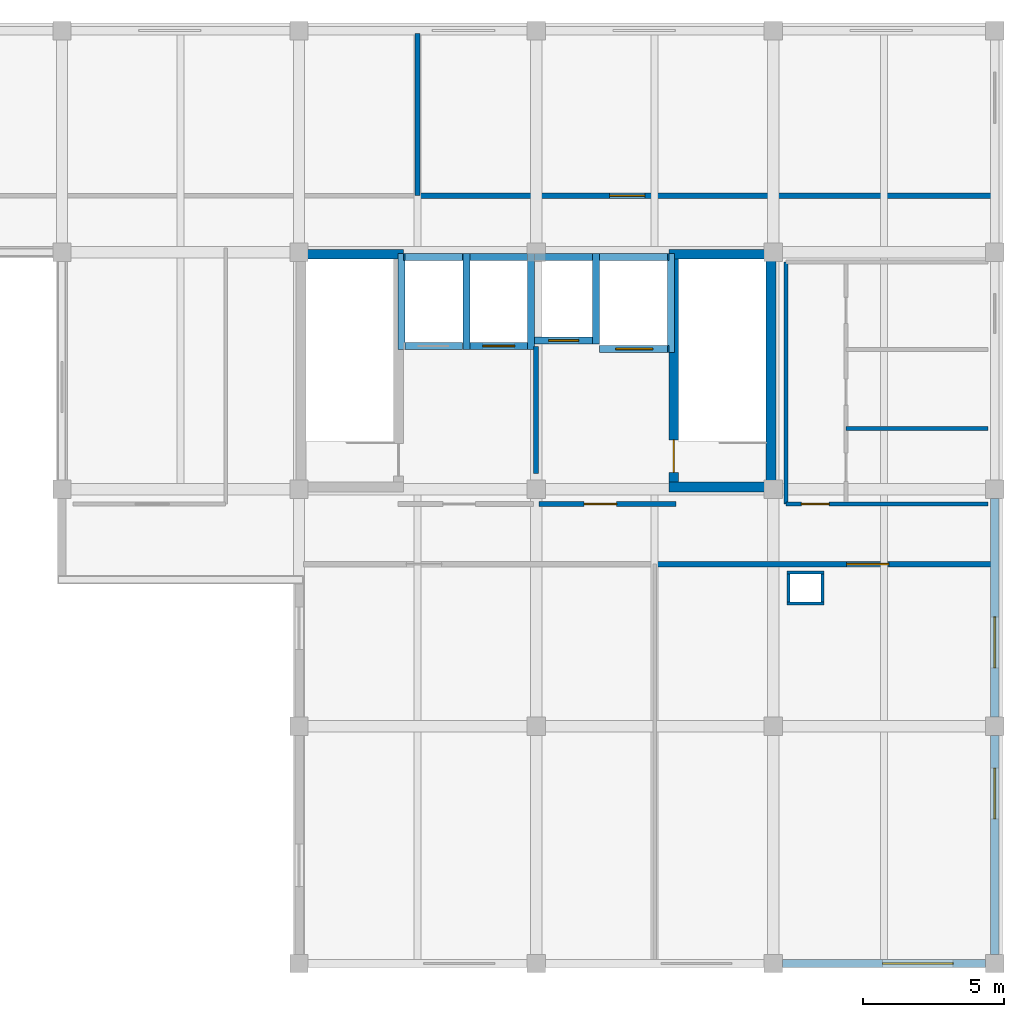
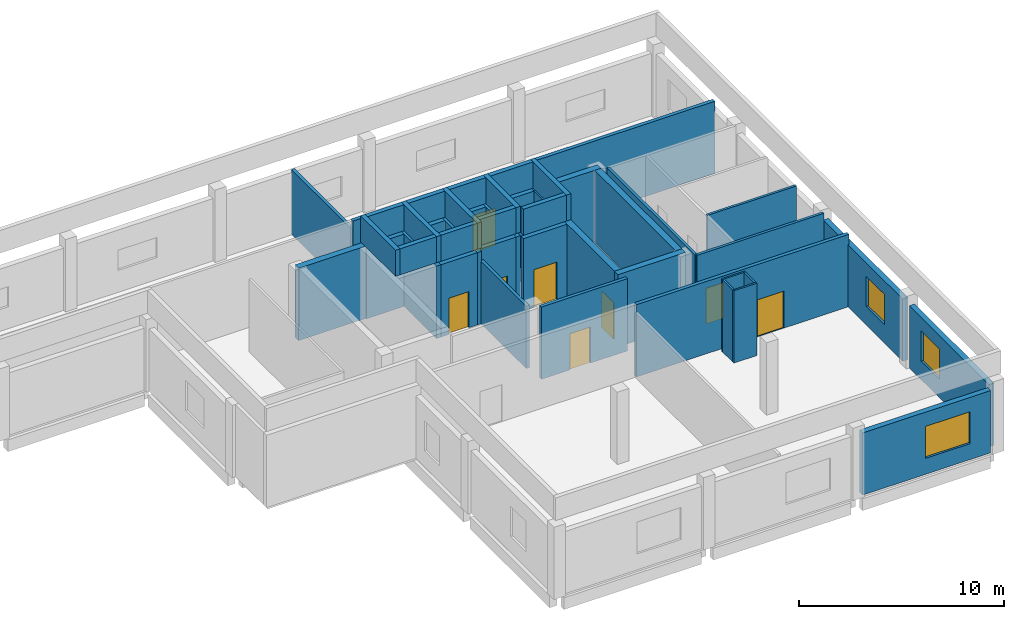
# One storey, part 6 of 8: 43 walls, 8 doors, 3 windows, 11 openings.
"""IFC4 building model written with IfcOpenShell, lengths in metres."""

from ifc_helpers import new_model, si_unit, direction, frame, frame_2d, origin, place, context, subcontext, project, spatial, rectangle, extrude, material, layer, layer_set, type_object, element, fill, save


model = new_model("IFC4")

# Units and contexts
model_context = context("Model", 3, precision=1e-05, world=origin(), true_north=direction((0.0, 1.0)))
body_context = subcontext(model_context, "Body", "Model", "MODEL_VIEW")
ifc_project = project(units=[si_unit("LENGTHUNIT", "METRE"), si_unit("AREAUNIT", "SQUARE_METRE"), si_unit("VOLUMEUNIT", "CUBIC_METRE"), si_unit("PLANEANGLEUNIT", "RADIAN"), si_unit("MASSUNIT", "GRAM", prefix="KILO")], contexts=[model_context])

# Site, building, storey
site_placement = place(None, origin())
site = spatial("IfcSite", under=ifc_project, at=site_placement, CompositionType="ELEMENT")
building_placement = place(site_placement, origin())
building = spatial("IfcBuilding", under=site, at=building_placement, Name="Brinegate Botanical Conservatory", CompositionType="ELEMENT")
storey_placement = place(building_placement, frame((0.0, 0.0, 65.699951171875)))
storey = spatial("IfcBuildingStorey", under=building, at=storey_placement, Name="L16", CompositionType="ELEMENT", Elevation=65.699951171875)

# Wall, opening, window
ifc_material_1 = material(Name="Insulated Minnan red clay brick masonry", Category="masonry")
ifc_layer_1 = layer(ifc_material_1, 0.300048828125, Name="Insulated Minnan red clay brick masonry", Category="masonry")
ifc_layer_set_1 = layer_set([ifc_layer_1], Name="Insulated Minnan red clay brick masonry")
wall_type_1 = type_object("IfcWallType", Name="Wall_EW-300B", PredefinedType="STANDARD", material=ifc_layer_set_1)
wall_1_placement = place(storey_placement, frame((163.125, 78.39990234375, 0.0), z_axis=(0.0, 0.0, 1.0), x_axis=(-1.0, 0.0, 0.0)))
wall_1 = element("IfcWall", 1, at=wall_1_placement, inside=storey, type_object=wall_type_1, Name="Tower south facade wall L16.3", PredefinedType="STANDARD", context=body_context, shape_type="SweptSolid", body=[
    extrude(rectangle(XDim=7.199951171875, YDim=0.300048828125, at=frame_2d((3.60009765625, 0.0))), origin(), (0.0, 0.0, 1.0), 3.699951171875),
])
opening_1_placement = place(wall_1_placement, frame((1.14990234375, 0.0, 0.949951171875)))
opening_1 = element("IfcOpeningElement", 2, at=opening_1_placement, cuts=wall_1, Name="Opening WN-20", PredefinedType="OPENING", context=body_context, shape_type="SweptSolid", body=[
    extrude(rectangle(XDim=2.5, YDim=1.89990234375, at=frame_2d((1.25, 0.949951171875))), frame((0.0, 0.159912109375, 0.0), z_axis=(0.0, -1.0, 0.0), x_axis=(1.0, 0.0, 0.0)), (0.0, 0.0, 1.0), 0.320068359375),
])
ifc_material_2 = material(Name="Thermally broken aluminium-framed Low-E glass", Category="aluminium")
window_type_1 = type_object("IfcWindowType", Name="Win_WN-20", PartitioningType="TRIPLE_PANEL_VERTICAL", PredefinedType="WINDOW", material=ifc_material_2)
window_1_placement = place(opening_1_placement, origin())
window_1 = element("IfcWindow", 3, at=window_1_placement, inside=storey, type_object=window_type_1, Name="Tower south window L16.3", OverallHeight=1.89990234375, OverallWidth=2.5, PartitioningType="TRIPLE_PANEL_VERTICAL", PredefinedType="WINDOW", context=body_context, shape_type="SweptSolid", body=[
    extrude(rectangle(XDim=2.5, YDim=1.89990234375, at=frame_2d((1.25, 0.949951171875))), frame((0.0, 0.030029296875, 0.0), z_axis=(0.0, -1.0, 0.0), x_axis=(1.0, 0.0, 0.0)), (0.0, 0.0, 1.0), 0.06005859375),
])
fill(opening_1, window_1)

wall_2_placement = place(storey_placement, frame((163.449951171875, 86.47509765625, 0.0), z_axis=(0.0, 0.0, 1.0), x_axis=(0.0, -1.0, 0.0)))
wall_2 = element("IfcWall", 4, at=wall_2_placement, inside=storey, type_object=wall_type_1, Name="Tower east brick wall L16.1", PredefinedType="STANDARD", context=body_context, shape_type="SweptSolid", body=[
    extrude(rectangle(XDim=7.75, YDim=0.300048828125, at=frame_2d((3.875, 0.0))), origin(), (0.0, 0.0, 1.0), 3.699951171875),
])
opening_2_placement = place(wall_2_placement, frame((1.14990234375, 0.0, 1.10009765625)))
opening_2 = element("IfcOpeningElement", 5, at=opening_2_placement, cuts=wall_2, Name="Opening WN-05", PredefinedType="OPENING", context=body_context, shape_type="SweptSolid", body=[
    extrude(rectangle(XDim=1.800048828125, YDim=1.800048828125, at=frame_2d((0.89990234375, 0.89990234375))), frame((0.0, 0.159912109375, 0.0), z_axis=(0.0, -1.0, 0.0), x_axis=(1.0, 0.0, 0.0)), (0.0, 0.0, 1.0), 0.320068359375),
])
window_type_2 = type_object("IfcWindowType", Name="Win_WN-05", PartitioningType="DOUBLE_PANEL_VERTICAL", PredefinedType="WINDOW", material=ifc_material_2)
window_2_placement = place(opening_2_placement, origin())
window_2 = element("IfcWindow", 6, at=window_2_placement, inside=storey, type_object=window_type_2, Name="Tower east window L16.1", OverallHeight=1.800048828125, OverallWidth=1.800048828125, PartitioningType="DOUBLE_PANEL_VERTICAL", PredefinedType="WINDOW", context=body_context, shape_type="SweptSolid", body=[
    extrude(rectangle(XDim=1.800048828125, YDim=1.800048828125, at=frame_2d((0.89990234375, 0.89990234375))), frame((0.0, 0.030029296875, 0.0), z_axis=(0.0, -1.0, 0.0), x_axis=(1.0, 0.0, 0.0)), (0.0, 0.0, 1.0), 0.06005859375),
])
fill(opening_2, window_2)

wall_3_placement = place(storey_placement, frame((163.449951171875, 94.875, 0.0), z_axis=(0.0, 0.0, 1.0), x_axis=(0.0, -1.0, 0.0)))
wall_3 = element("IfcWall", 7, at=wall_3_placement, inside=storey, type_object=wall_type_1, Name="Tower east brick wall L16.2", PredefinedType="STANDARD", context=body_context, shape_type="SweptSolid", body=[
    extrude(rectangle(XDim=7.75, YDim=0.300048828125, at=frame_2d((3.875, 0.0))), origin(), (0.0, 0.0, 1.0), 3.699951171875),
])
opening_3_placement = place(wall_3_placement, frame((4.199951171875, 0.0, 1.10009765625)))
opening_3 = element("IfcOpeningElement", 8, at=opening_3_placement, cuts=wall_3, Name="Opening WN-05", PredefinedType="OPENING", context=body_context, shape_type="SweptSolid", body=[
    extrude(rectangle(XDim=1.800048828125, YDim=1.800048828125, at=frame_2d((0.89990234375, 0.89990234375))), frame((0.0, 0.159912109375, 0.0), z_axis=(0.0, -1.0, 0.0), x_axis=(1.0, 0.0, 0.0)), (0.0, 0.0, 1.0), 0.320068359375),
])
window_3_placement = place(opening_3_placement, origin())
window_3 = element("IfcWindow", 9, at=window_3_placement, inside=storey, type_object=window_type_2, Name="Tower east window L16.2", OverallHeight=1.800048828125, OverallWidth=1.800048828125, PartitioningType="DOUBLE_PANEL_VERTICAL", PredefinedType="WINDOW", context=body_context, shape_type="SweptSolid", body=[
    extrude(rectangle(XDim=1.800048828125, YDim=1.800048828125, at=frame_2d((0.89990234375, 0.89990234375))), frame((0.0, 0.030029296875, 0.0), z_axis=(0.0, -1.0, 0.0), x_axis=(1.0, 0.0, 0.0)), (0.0, 0.0, 1.0), 0.06005859375),
])
fill(opening_3, window_3)

# Walls
ifc_material_3 = material(Name="Gypsum-clad steel-stud fire-rated shaft partition", Category="steel")
ifc_layer_2 = layer(ifc_material_3, 0.10498046875, Name="Gypsum-clad steel-stud fire-rated shaft partition", Category="steel")
ifc_layer_set_2 = layer_set([ifc_layer_2], Name="Gypsum-clad steel-stud fire-rated shaft partition")
wall_type_2 = type_object("IfcWallType", Name="Wall_PW-105", PredefinedType="PARTITIONING", material=ifc_layer_set_2)
for number, where, z_axis, x_axis, name in (
    (10, (156.094970703125, 91.1474609375, 0.0), (0.0, 0.0, 1.0), (1.0, 0.0, 0.0), "Service riser shaft wall L16 S"),
    (11, (156.094970703125, 92.25244140625, 0.0), (0.0, 0.0, 1.0), (1.0, 0.0, 0.0), "Service riser shaft wall L16 N"),
):
    element("IfcWall", number, at=place(storey_placement, frame(where, z_axis=z_axis, x_axis=x_axis)), inside=storey, type_object=wall_type_2, Name=name, PredefinedType="PARTITIONING", context=body_context, shape_type="SweptSolid", body=[
        extrude(rectangle(XDim=1.31005859375, YDim=0.10498046875, at=frame_2d((0.655029296875, 0.0))), origin(), (0.0, 0.0, 1.0), 4.300048828125),
    ])
for number, where, z_axis, x_axis, name in (
    (12, (156.1474609375, 91.199951171875, 0.0), (0.0, 0.0, 1.0), (0.0, 1.0, 0.0), "Service riser shaft wall L16 W"),
    (13, (157.3525390625, 91.199951171875, 0.0), (0.0, 0.0, 1.0), (0.0, 1.0, 0.0), "Service riser shaft wall L16 E"),
):
    element("IfcWall", number, at=place(storey_placement, frame(where, z_axis=z_axis, x_axis=x_axis)), inside=storey, type_object=wall_type_2, Name=name, PredefinedType="PARTITIONING", context=body_context, shape_type="SweptSolid", body=[
        extrude(rectangle(XDim=1.0, YDim=0.10498046875, at=frame_2d((0.5, 0.0))), origin(), (0.0, 0.0, 1.0), 4.300048828125),
    ])
ifc_material_4 = material(Name="Gypsum-clad steel-stud partition", Category="steel")
ifc_layer_3 = layer(ifc_material_4, 0.135009765625, Name="Gypsum-clad steel-stud partition", Category="steel")
ifc_layer_set_3 = layer_set([ifc_layer_3], Name="Gypsum-clad steel-stud partition")
wall_type_3 = type_object("IfcWallType", Name="Wall_PW-135", PredefinedType="PARTITIONING", material=ifc_layer_set_3)
wall_4_placement = place(storey_placement, frame((158.179931640625, 97.35009765625, 0.0), z_axis=(0.0, 0.0, 1.0), x_axis=(1.0, 0.0, 0.0)))
element("IfcWall", 14, at=wall_4_placement, inside=storey, type_object=wall_type_3, Name="Interior partition P-L16-WCD-9735", PredefinedType="PARTITIONING", context=body_context, shape_type="SweptSolid", body=[
    extrude(rectangle(XDim=5.02001953125, YDim=0.135009765625, at=frame_2d((2.510009765625, 0.0))), origin(), (0.0, 0.0, 1.0), 4.300048828125),
])

# Wall, opening, door
ifc_material_5 = material(Name="Moisture-resistant cement-board partition", Category="gypsum")
ifc_layer_4 = layer(ifc_material_5, 0.14990234375, Name="Moisture-resistant cement-board partition", Category="gypsum")
ifc_layer_set_4 = layer_set([ifc_layer_4], Name="Moisture-resistant cement-board partition")
wall_type_4 = type_object("IfcWallType", Name="Wall_PW-150W", PredefinedType="PARTITIONING", material=ifc_layer_set_4)
wall_5_placement = place(storey_placement, frame((156.050048828125, 94.679931640625, 0.0), z_axis=(0.0, 0.0, 1.0), x_axis=(1.0, 0.0, 0.0)))
wall_5 = element("IfcWall", 15, at=wall_5_placement, inside=storey, type_object=wall_type_4, Name="Interior partition P-L16-WCS", PredefinedType="PARTITIONING", context=body_context, shape_type="SweptSolid", body=[
    extrude(rectangle(XDim=7.14990234375, YDim=0.14990234375, at=frame_2d((3.574951171875, 0.0))), origin(), (0.0, 0.0, 1.0), 4.300048828125),
])
opening_4_placement = place(wall_5_placement, frame((0.550048828125, 0.0, 0.0)))
opening_4 = element("IfcOpeningElement", 16, at=opening_4_placement, cuts=wall_5, Name="Opening DR-03", PredefinedType="OPENING", context=body_context, shape_type="SweptSolid", body=[
    extrude(rectangle(XDim=0.97998046875, YDim=2.1201171875, at=frame_2d((0.489990234375, 1.06005859375))), frame((0.0, 0.0849609375, 0.0), z_axis=(0.0, -1.0, 0.0), x_axis=(1.0, 0.0, 0.0)), (0.0, 0.0, 1.0), 0.169921875),
])
ifc_material_6 = material(Name="Steel-core hardwood smoke-sealed fire door", Category="steel")
door_type_1 = type_object("IfcDoorType", Name="Door_DR-03", OperationType="NOTDEFINED", PredefinedType="DOOR", material=ifc_material_6)
door_1_placement = place(opening_4_placement, origin())
door_1 = element("IfcDoor", 17, at=door_1_placement, inside=storey, type_object=door_type_1, Name="DR-P-L16-WCS-1", OperationType="SINGLE_SWING_LEFT", OverallHeight=2.1201171875, OverallWidth=0.97998046875, PredefinedType="DOOR", context=body_context, shape_type="SweptSolid", body=[
    extrude(rectangle(XDim=0.97998046875, YDim=2.1201171875, at=frame_2d((0.489990234375, 1.06005859375))), frame((0.0, 0.02490234375, 0.0), z_axis=(0.0, -1.0, 0.0), x_axis=(1.0, 0.0, 0.0)), (0.0, 0.0, 1.0), 0.050048828125),
])
fill(opening_4, door_1)

# Wall
wall_6_placement = place(storey_placement, frame((156.050048828125, 94.679931640625, 0.0), z_axis=(0.0, 0.0, 1.0), x_axis=(0.0, 1.0, 0.0)))
element("IfcWall", 18, at=wall_6_placement, inside=storey, type_object=wall_type_4, Name="Interior partition P-L16-WCWW", PredefinedType="PARTITIONING", context=body_context, shape_type="SweptSolid", body=[
    extrude(rectangle(XDim=8.570068359375, YDim=0.14990234375, at=frame_2d((4.28515625, 0.0))), origin(), (0.0, 0.0, 1.0), 4.300048828125),
])

# Wall, opening, door
ifc_material_7 = material(Name="Autoclaved aerated concrete C40/50 blockwork", Category="masonry")
ifc_layer_5 = layer(ifc_material_7, 0.179931640625, Name="Autoclaved aerated concrete C40/50 blockwork", Category="masonry")
ifc_layer_set_5 = layer_set([ifc_layer_5], Name="Autoclaved aerated concrete C40/50 blockwork")
wall_type_5 = type_object("IfcWallType", Name="Wall_PW-180F", PredefinedType="STANDARD", material=ifc_layer_set_5)
wall_7_placement = place(storey_placement, frame((147.300048828125, 94.679931640625, 0.0), z_axis=(0.0, 0.0, 1.0), x_axis=(1.0, 0.0, 0.0)))
wall_7 = element("IfcWall", 19, at=wall_7_placement, inside=storey, type_object=wall_type_5, Name="Interior partition P-L16-CORE-PAX", PredefinedType="STANDARD", context=body_context, shape_type="SweptSolid", body=[
    extrude(rectangle(XDim=4.849853515625, YDim=0.179931640625, at=frame_2d((2.4248046875, 0.0))), origin(), (0.0, 0.0, 1.0), 4.300048828125),
])
opening_5_placement = place(wall_7_placement, frame((1.60009765625, 0.0, 0.0)))
opening_5 = element("IfcOpeningElement", 20, at=opening_5_placement, cuts=wall_7, Name="Opening FD-B1", PredefinedType="OPENING", context=body_context, shape_type="SweptSolid", body=[
    extrude(rectangle(XDim=1.14990234375, YDim=2.14990234375, at=frame_2d((0.574951171875, 1.074951171875))), frame((0.0, 0.099853515625, 0.0), z_axis=(0.0, -1.0, 0.0), x_axis=(1.0, 0.0, 0.0)), (0.0, 0.0, 1.0), 0.199951171875),
])
ifc_material_8 = material(Name="Steel smoke-proof fire door assembly", Category="steel")
door_type_2 = type_object("IfcDoorType", Name="Door_FD-B1", OperationType="NOTDEFINED", PredefinedType="DOOR", material=ifc_material_8)
door_2_placement = place(opening_5_placement, origin())
door_2 = element("IfcDoor", 21, at=door_2_placement, inside=storey, type_object=door_type_2, Name="DR-P-L16-CORE-PAX-1", OperationType="SINGLE_SWING_RIGHT", OverallHeight=2.14990234375, OverallWidth=1.14990234375, PredefinedType="DOOR", context=body_context, shape_type="SweptSolid", body=[
    extrude(rectangle(XDim=1.14990234375, YDim=2.14990234375, at=frame_2d((0.574951171875, 1.074951171875))), frame((0.0, 0.02490234375, 0.0), z_axis=(0.0, -1.0, 0.0), x_axis=(1.0, 0.0, 0.0)), (0.0, 0.0, 1.0), 0.050048828125),
])
fill(opening_5, door_2)

# Walls
wall_8_placement = place(storey_placement, frame((147.199951171875, 95.75, 0.0), z_axis=(0.0, 0.0, 1.0), x_axis=(0.0, 1.0, 0.0)))
element("IfcWall", 22, at=wall_8_placement, inside=storey, type_object=wall_type_5, Name="Interior partition P-L16-CORE-DIV", PredefinedType="STANDARD", context=body_context, shape_type="SweptSolid", body=[
    extrude(rectangle(XDim=4.5, YDim=0.179931640625, at=frame_2d((2.25, 0.0))), origin(), (0.0, 0.0, 1.0), 3.699951171875),
])
wall_9_placement = place(storey_placement, frame((143.0, 105.60009765625, 0.0), z_axis=(0.0, 0.0, 1.0), x_axis=(0.0, 1.0, 0.0)))
element("IfcWall", 23, at=wall_9_placement, inside=storey, type_object=wall_type_5, Name="Interior partition P-L16-NDIV-N2", PredefinedType="STANDARD", context=body_context, shape_type="SweptSolid", body=[
    extrude(rectangle(XDim=5.75, YDim=0.179931640625, at=frame_2d((2.875, 0.0))), origin(), (0.0, 0.0, 1.0), 3.85009765625),
])

# Wall, opening, door
ifc_layer_6 = layer(ifc_material_7, 0.199951171875, Name="Autoclaved aerated concrete C40/50 blockwork", Category="masonry")
ifc_layer_set_6 = layer_set([ifc_layer_6], Name="Autoclaved aerated concrete C40/50 blockwork")
wall_type_6 = type_object("IfcWallType", Name="Wall_PW-200F", PredefinedType="SOLIDWALL", material=ifc_layer_set_6)
wall_10_placement = place(storey_placement, frame((143.0, 105.60009765625, 0.0), z_axis=(0.0, 0.0, 1.0), x_axis=(1.0, 0.0, 0.0)))
wall_10 = element("IfcWall", 24, at=wall_10_placement, inside=storey, type_object=wall_type_6, Name="Interior partition P-L16-NB-N2", PredefinedType="SOLIDWALL", context=body_context, shape_type="SweptSolid", body=[
    extrude(rectangle(XDim=20.35009765625, YDim=0.199951171875, at=frame_2d((10.175048828125, 0.0))), origin(), (0.0, 0.0, 1.0), 4.300048828125),
])
opening_6_placement = place(wall_10_placement, frame((6.800048828125, 0.0, 0.0)))
opening_6 = element("IfcOpeningElement", 25, at=opening_6_placement, cuts=wall_10, Name="Opening FD-A1", PredefinedType="OPENING", context=body_context, shape_type="SweptSolid", body=[
    extrude(rectangle(XDim=1.25, YDim=2.199951171875, at=frame_2d((0.625, 1.10009765625))), frame((0.0, 0.10986328125, 0.0), z_axis=(0.0, -1.0, 0.0), x_axis=(1.0, 0.0, 0.0)), (0.0, 0.0, 1.0), 0.219970703125),
])
ifc_material_9 = material(Name="Steel fire-rated assembly", Category="steel")
door_type_3 = type_object("IfcDoorType", Name="Door_FD-A1", OperationType="NOTDEFINED", PredefinedType="DOOR", material=ifc_material_9)
door_3_placement = place(opening_6_placement, origin())
door_3 = element("IfcDoor", 26, at=door_3_placement, inside=storey, type_object=door_type_3, Name="DR-P-L16-NB-N2-1", OperationType="SINGLE_SWING_RIGHT", OverallHeight=2.199951171875, OverallWidth=1.25, PredefinedType="DOOR", context=body_context, shape_type="SweptSolid", body=[
    extrude(rectangle(XDim=1.25, YDim=2.199951171875, at=frame_2d((0.625, 1.10009765625))), frame((0.0, 0.02490234375, 0.0), z_axis=(0.0, -1.0, 0.0), x_axis=(1.0, 0.0, 0.0)), (0.0, 0.0, 1.0), 0.050048828125),
])
fill(opening_6, door_3)

wall_11_placement = place(storey_placement, frame((151.39990234375, 92.550048828125, 0.0), z_axis=(0.0, 0.0, 1.0), x_axis=(1.0, 0.0, 0.0)))
wall_11 = element("IfcWall", 27, at=wall_11_placement, inside=storey, type_object=wall_type_6, Name="Interior partition P-L16-SB-S2", PredefinedType="SOLIDWALL", context=body_context, shape_type="SweptSolid", body=[
    extrude(rectangle(XDim=11.9501953125, YDim=0.199951171875, at=frame_2d((5.97509765625, 0.0))), origin(), (0.0, 0.0, 1.0), 4.300048828125),
])
opening_7_placement = place(wall_11_placement, frame((6.800048828125, 0.0, 0.0)))
opening_7 = element("IfcOpeningElement", 28, at=opening_7_placement, cuts=wall_11, Name="Opening FD-A2", PredefinedType="OPENING", context=body_context, shape_type="SweptSolid", body=[
    extrude(rectangle(XDim=1.5, YDim=2.199951171875, at=frame_2d((0.75, 1.10009765625))), frame((0.0, 0.10986328125, 0.0), z_axis=(0.0, -1.0, 0.0), x_axis=(1.0, 0.0, 0.0)), (0.0, 0.0, 1.0), 0.219970703125),
])
ifc_material_10 = material(Name="Steel fire-rated double-leaf assembly", Category="steel")
door_type_4 = type_object("IfcDoorType", Name="Door_FD-A2", OperationType="NOTDEFINED", PredefinedType="DOOR", material=ifc_material_10)
door_4_placement = place(opening_7_placement, origin())
door_4 = element("IfcDoor", 29, at=door_4_placement, inside=storey, type_object=door_type_4, Name="DR-P-L16-SB-S2-1", OperationType="SINGLE_SWING_LEFT", OverallHeight=2.199951171875, OverallWidth=1.5, PredefinedType="DOOR", context=body_context, shape_type="SweptSolid", body=[
    extrude(rectangle(XDim=1.5, YDim=2.199951171875, at=frame_2d((0.75, 1.10009765625))), frame((0.0, 0.02490234375, 0.0), z_axis=(0.0, -1.0, 0.0), x_axis=(1.0, 0.0, 0.0)), (0.0, 0.0, 1.0), 0.050048828125),
])
fill(opening_7, door_4)

# Walls
ifc_material_11 = material(Name="Concrete C40/50", Category="concrete")
ifc_layer_7 = layer(ifc_material_11, 0.25, Name="Concrete C40/50", Category="concrete")
ifc_layer_set_7 = layer_set([ifc_layer_7], Name="Concrete C40/50")
wall_type_7 = type_object("IfcWallType", Name="Wall_SW-250", PredefinedType="SHEAR", material=ifc_layer_set_7)
wall_12_placement = place(storey_placement, frame((142.5, 103.425048828125, 0.0), z_axis=(0.0, 0.0, 1.0), x_axis=(1.0, 0.0, 0.0)))
element("IfcWall", 30, at=wall_12_placement, inside=storey, type_object=wall_type_7, Name="Lift shaft LF1 shear wall L16 N", PredefinedType="SHEAR", context=body_context, shape_type="SweptSolid", body=[
    extrude(rectangle(XDim=2.10009765625, YDim=0.25, at=frame_2d((1.050048828125, 0.0))), origin(), (0.0, 0.0, 1.0), 4.300048828125),
])
wall_13_placement = place(storey_placement, frame((144.72509765625, 100.14990234375, 0.0), z_axis=(0.0, 0.0, 1.0), x_axis=(0.0, 1.0, 0.0)))
element("IfcWall", 31, at=wall_13_placement, inside=storey, type_object=wall_type_7, Name="Lift shaft LF1 shear wall L16 E", PredefinedType="SHEAR", context=body_context, shape_type="SweptSolid", body=[
    extrude(rectangle(XDim=3.400146484375, YDim=0.25, at=frame_2d((1.7001953125, 0.0))), origin(), (0.0, 0.0, 1.0), 4.300048828125),
])
for number, where, z_axis, x_axis, name in (
    (32, (142.550048828125, 100.27490234375, 4.5), (0.0, 0.0, 1.0), (1.0, 0.0, 0.0), "Lift shaft LF1 shear wall RF S"),
    (33, (142.550048828125, 103.425048828125, 4.5), (0.0, 0.0, 1.0), (1.0, 0.0, 0.0), "Lift shaft LF1 shear wall RF N"),
):
    element("IfcWall", number, at=place(storey_placement, frame(where, z_axis=z_axis, x_axis=x_axis)), inside=storey, type_object=wall_type_7, Name=name, PredefinedType="SHEAR", context=body_context, shape_type="SweptSolid", body=[
        extrude(rectangle(XDim=2.050048828125, YDim=0.25, at=frame_2d((1.02490234375, 0.0))), origin(), (0.0, 0.0, 1.0), 1.550048828125),
    ])
for number, where, z_axis, x_axis, name in (
    (34, (144.72509765625, 100.14990234375, 4.5), (0.0, 0.0, 1.0), (0.0, 1.0, 0.0), "Lift shaft LF1 shear wall RF E"),
    (35, (142.425048828125, 100.14990234375, 4.5), (0.0, 0.0, 1.0), (0.0, 1.0, 0.0), "Lift shaft LF1 shear wall RF W"),
):
    element("IfcWall", number, at=place(storey_placement, frame(where, z_axis=z_axis, x_axis=x_axis)), inside=storey, type_object=wall_type_7, Name=name, PredefinedType="SHEAR", context=body_context, shape_type="SweptSolid", body=[
        extrude(rectangle(XDim=3.400146484375, YDim=0.25, at=frame_2d((1.7001953125, 0.0))), origin(), (0.0, 0.0, 1.0), 1.550048828125),
    ])

# Wall, opening, door
wall_14_placement = place(storey_placement, frame((144.85009765625, 100.27490234375, 0.0), z_axis=(0.0, 0.0, 1.0), x_axis=(1.0, 0.0, 0.0)))
wall_14 = element("IfcWall", 36, at=wall_14_placement, inside=storey, type_object=wall_type_7, Name="Lift shaft LF2 shear wall L16 S", PredefinedType="SHEAR", context=body_context, shape_type="SweptSolid", body=[
    extrude(rectangle(XDim=2.0498046875, YDim=0.25, at=frame_2d((1.02490234375, 0.0))), origin(), (0.0, 0.0, 1.0), 4.300048828125),
])
opening_8_placement = place(wall_14_placement, frame((0.465087890625, 0.0, 0.0)))
opening_8 = element("IfcOpeningElement", 37, at=opening_8_placement, cuts=wall_14, Name="Opening LD-02", PredefinedType="OPENING", context=body_context, shape_type="SweptSolid", body=[
    extrude(rectangle(XDim=1.1201171875, YDim=2.14990234375, at=frame_2d((0.56005859375, 1.074951171875))), frame((0.0, 0.135009765625, 0.0), z_axis=(0.0, -1.0, 0.0), x_axis=(1.0, 0.0, 0.0)), (0.0, 0.0, 1.0), 0.27001953125),
])
ifc_material_12 = material(Name="Brushed stainless steel S355 landing door", Category="steel")
door_type_5 = type_object("IfcDoorType", Name="Door_LD-02", OperationType="SLIDING_TO_LEFT", PredefinedType="DOOR", material=ifc_material_12)
door_5_placement = place(opening_8_placement, origin())
door_5 = element("IfcDoor", 38, at=door_5_placement, inside=storey, type_object=door_type_5, Name="LD-LF2-L16", OperationType="SLIDING_TO_LEFT", OverallHeight=2.14990234375, OverallWidth=1.1201171875, PredefinedType="DOOR", context=body_context, shape_type="SweptSolid", body=[
    extrude(rectangle(XDim=1.1201171875, YDim=2.14990234375, at=frame_2d((0.56005859375, 1.074951171875))), frame((0.0, 0.02490234375, 0.0), z_axis=(0.0, -1.0, 0.0), x_axis=(1.0, 0.0, 0.0)), (0.0, 0.0, 1.0), 0.050048828125),
])
fill(opening_8, door_5)

# Walls
wall_15_placement = place(storey_placement, frame((144.85009765625, 103.425048828125, 0.0), z_axis=(0.0, 0.0, 1.0), x_axis=(1.0, 0.0, 0.0)))
element("IfcWall", 39, at=wall_15_placement, inside=storey, type_object=wall_type_7, Name="Lift shaft LF2 shear wall L16 N", PredefinedType="SHEAR", context=body_context, shape_type="SweptSolid", body=[
    extrude(rectangle(XDim=2.0498046875, YDim=0.25, at=frame_2d((1.02490234375, 0.0))), origin(), (0.0, 0.0, 1.0), 4.300048828125),
])
wall_16_placement = place(storey_placement, frame((147.02490234375, 100.14990234375, 0.0), z_axis=(0.0, 0.0, 1.0), x_axis=(0.0, 1.0, 0.0)))
element("IfcWall", 40, at=wall_16_placement, inside=storey, type_object=wall_type_7, Name="Lift shaft LF2 shear wall L16 E", PredefinedType="SHEAR", context=body_context, shape_type="SweptSolid", body=[
    extrude(rectangle(XDim=3.400146484375, YDim=0.25, at=frame_2d((1.7001953125, 0.0))), origin(), (0.0, 0.0, 1.0), 4.300048828125),
])
for number, where, z_axis, x_axis, name in (
    (41, (144.85009765625, 100.27490234375, 4.5), (0.0, 0.0, 1.0), (1.0, 0.0, 0.0), "Lift shaft LF2 shear wall RF S"),
    (42, (144.85009765625, 103.425048828125, 4.5), (0.0, 0.0, 1.0), (1.0, 0.0, 0.0), "Lift shaft LF2 shear wall RF N"),
):
    element("IfcWall", number, at=place(storey_placement, frame(where, z_axis=z_axis, x_axis=x_axis)), inside=storey, type_object=wall_type_7, Name=name, PredefinedType="SHEAR", context=body_context, shape_type="SweptSolid", body=[
        extrude(rectangle(XDim=2.0498046875, YDim=0.25, at=frame_2d((1.02490234375, 0.0))), origin(), (0.0, 0.0, 1.0), 1.550048828125),
    ])
wall_17_placement = place(storey_placement, frame((147.02490234375, 100.14990234375, 4.5), z_axis=(0.0, 0.0, 1.0), x_axis=(0.0, 1.0, 0.0)))
element("IfcWall", 43, at=wall_17_placement, inside=storey, type_object=wall_type_7, Name="Lift shaft LF2 shear wall RF E", PredefinedType="SHEAR", context=body_context, shape_type="SweptSolid", body=[
    extrude(rectangle(XDim=3.400146484375, YDim=0.25, at=frame_2d((1.7001953125, 0.0))), origin(), (0.0, 0.0, 1.0), 1.550048828125),
])

# Wall, opening, door
wall_18_placement = place(storey_placement, frame((147.14990234375, 100.47509765625, 0.0), z_axis=(0.0, 0.0, 1.0), x_axis=(1.0, 0.0, 0.0)))
wall_18 = element("IfcWall", 44, at=wall_18_placement, inside=storey, type_object=wall_type_7, Name="Lift shaft LF3 shear wall L16 S", PredefinedType="SHEAR", context=body_context, shape_type="SweptSolid", body=[
    extrude(rectangle(XDim=2.050048828125, YDim=0.25, at=frame_2d((1.02490234375, 0.0))), origin(), (0.0, 0.0, 1.0), 4.300048828125),
])
opening_9_placement = place(wall_18_placement, frame((0.4951171875, 0.0, 0.0)))
opening_9 = element("IfcOpeningElement", 45, at=opening_9_placement, cuts=wall_18, Name="Opening LD-03", PredefinedType="OPENING", context=body_context, shape_type="SweptSolid", body=[
    extrude(rectangle(XDim=1.06005859375, YDim=2.14990234375, at=frame_2d((0.530029296875, 1.074951171875))), frame((0.0, 0.135009765625, 0.0), z_axis=(0.0, -1.0, 0.0), x_axis=(1.0, 0.0, 0.0)), (0.0, 0.0, 1.0), 0.27001953125),
])
door_type_6 = type_object("IfcDoorType", Name="Door_LD-03", OperationType="SLIDING_TO_LEFT", PredefinedType="DOOR", material=ifc_material_12)
door_6_placement = place(opening_9_placement, origin())
door_6 = element("IfcDoor", 46, at=door_6_placement, inside=storey, type_object=door_type_6, Name="LD-LF3-L16", OperationType="SLIDING_TO_LEFT", OverallHeight=2.14990234375, OverallWidth=1.06005859375, PredefinedType="DOOR", context=body_context, shape_type="SweptSolid", body=[
    extrude(rectangle(XDim=1.06005859375, YDim=2.14990234375, at=frame_2d((0.530029296875, 1.074951171875))), frame((0.0, 0.02490234375, 0.0), z_axis=(0.0, -1.0, 0.0), x_axis=(1.0, 0.0, 0.0)), (0.0, 0.0, 1.0), 0.050048828125),
])
fill(opening_9, door_6)

# Walls
wall_19_placement = place(storey_placement, frame((147.14990234375, 103.425048828125, 0.0), z_axis=(0.0, 0.0, 1.0), x_axis=(1.0, 0.0, 0.0)))
element("IfcWall", 47, at=wall_19_placement, inside=storey, type_object=wall_type_7, Name="Lift shaft LF3 shear wall L16 N", PredefinedType="SHEAR", context=body_context, shape_type="SweptSolid", body=[
    extrude(rectangle(XDim=2.050048828125, YDim=0.25, at=frame_2d((1.02490234375, 0.0))), origin(), (0.0, 0.0, 1.0), 4.300048828125),
])
wall_20_placement = place(storey_placement, frame((149.324951171875, 100.35009765625, 0.0), z_axis=(0.0, 0.0, 1.0), x_axis=(0.0, 1.0, 0.0)))
element("IfcWall", 48, at=wall_20_placement, inside=storey, type_object=wall_type_7, Name="Lift shaft LF3 shear wall L16 E", PredefinedType="SHEAR", context=body_context, shape_type="SweptSolid", body=[
    extrude(rectangle(XDim=3.199951171875, YDim=0.25, at=frame_2d((1.60009765625, 0.0))), origin(), (0.0, 0.0, 1.0), 4.300048828125),
])
for number, where, z_axis, x_axis, name in (
    (49, (147.14990234375, 100.47509765625, 4.5), (0.0, 0.0, 1.0), (1.0, 0.0, 0.0), "Lift shaft LF3 shear wall RF S"),
    (50, (147.14990234375, 103.425048828125, 4.5), (0.0, 0.0, 1.0), (1.0, 0.0, 0.0), "Lift shaft LF3 shear wall RF N"),
):
    element("IfcWall", number, at=place(storey_placement, frame(where, z_axis=z_axis, x_axis=x_axis)), inside=storey, type_object=wall_type_7, Name=name, PredefinedType="SHEAR", context=body_context, shape_type="SweptSolid", body=[
        extrude(rectangle(XDim=2.050048828125, YDim=0.25, at=frame_2d((1.02490234375, 0.0))), origin(), (0.0, 0.0, 1.0), 1.550048828125),
    ])
wall_21_placement = place(storey_placement, frame((149.324951171875, 100.35009765625, 4.5), z_axis=(0.0, 0.0, 1.0), x_axis=(0.0, 1.0, 0.0)))
element("IfcWall", 51, at=wall_21_placement, inside=storey, type_object=wall_type_7, Name="Lift shaft LF3 shear wall RF E", PredefinedType="SHEAR", context=body_context, shape_type="SweptSolid", body=[
    extrude(rectangle(XDim=3.199951171875, YDim=0.25, at=frame_2d((1.60009765625, 0.0))), origin(), (0.0, 0.0, 1.0), 1.550048828125),
])

# Wall, opening, door
wall_22_placement = place(storey_placement, frame((149.449951171875, 100.175048828125, 0.0), z_axis=(0.0, 0.0, 1.0), x_axis=(1.0, 0.0, 0.0)))
wall_22 = element("IfcWall", 52, at=wall_22_placement, inside=storey, type_object=wall_type_7, Name="Lift shaft LF4 shear wall L16 S", PredefinedType="SHEAR", context=body_context, shape_type="SweptSolid", body=[
    extrude(rectangle(XDim=2.449951171875, YDim=0.25, at=frame_2d((1.22509765625, 0.0))), origin(), (0.0, 0.0, 1.0), 4.300048828125),
])
opening_10_placement = place(wall_22_placement, frame((0.574951171875, 0.0, 0.0)))
opening_10 = element("IfcOpeningElement", 53, at=opening_10_placement, cuts=wall_22, Name="Opening LD-04", PredefinedType="OPENING", context=body_context, shape_type="SweptSolid", body=[
    extrude(rectangle(XDim=1.300048828125, YDim=2.25, at=frame_2d((0.64990234375, 1.125))), frame((0.0, 0.135009765625, 0.0), z_axis=(0.0, -1.0, 0.0), x_axis=(1.0, 0.0, 0.0)), (0.0, 0.0, 1.0), 0.27001953125),
])
door_type_7 = type_object("IfcDoorType", Name="Door_LD-04", OperationType="SLIDING_TO_LEFT", PredefinedType="DOOR", material=ifc_material_12)
door_7_placement = place(opening_10_placement, origin())
door_7 = element("IfcDoor", 54, at=door_7_placement, inside=storey, type_object=door_type_7, Name="LD-LF4-L16", OperationType="SLIDING_TO_LEFT", OverallHeight=2.25, OverallWidth=1.300048828125, PredefinedType="DOOR", context=body_context, shape_type="SweptSolid", body=[
    extrude(rectangle(XDim=1.300048828125, YDim=2.25, at=frame_2d((0.64990234375, 1.125))), frame((0.0, 0.02490234375, 0.0), z_axis=(0.0, -1.0, 0.0), x_axis=(1.0, 0.0, 0.0)), (0.0, 0.0, 1.0), 0.050048828125),
])
fill(opening_10, door_7)

# Walls
wall_23_placement = place(storey_placement, frame((149.449951171875, 103.425048828125, 0.0), z_axis=(0.0, 0.0, 1.0), x_axis=(1.0, 0.0, 0.0)))
element("IfcWall", 55, at=wall_23_placement, inside=storey, type_object=wall_type_7, Name="Lift shaft LF4 shear wall L16 N", PredefinedType="SHEAR", context=body_context, shape_type="SweptSolid", body=[
    extrude(rectangle(XDim=2.449951171875, YDim=0.25, at=frame_2d((1.22509765625, 0.0))), origin(), (0.0, 0.0, 1.0), 4.300048828125),
])
for number, where, z_axis, x_axis, name in (
    (56, (149.449951171875, 100.175048828125, 4.5), (0.0, 0.0, 1.0), (1.0, 0.0, 0.0), "Lift shaft LF4 shear wall RF S"),
    (57, (149.449951171875, 103.425048828125, 4.5), (0.0, 0.0, 1.0), (1.0, 0.0, 0.0), "Lift shaft LF4 shear wall RF N"),
):
    element("IfcWall", number, at=place(storey_placement, frame(where, z_axis=z_axis, x_axis=x_axis)), inside=storey, type_object=wall_type_7, Name=name, PredefinedType="SHEAR", context=body_context, shape_type="SweptSolid", body=[
        extrude(rectangle(XDim=2.400146484375, YDim=0.25, at=frame_2d((1.2001953125, 0.0))), origin(), (0.0, 0.0, 1.0), 1.550048828125),
    ])
wall_24_placement = place(storey_placement, frame((151.97509765625, 100.050048828125, 4.5), z_axis=(0.0, 0.0, 1.0), x_axis=(0.0, 1.0, 0.0)))
element("IfcWall", 58, at=wall_24_placement, inside=storey, type_object=wall_type_7, Name="Lift shaft LF4 shear wall RF E", PredefinedType="SHEAR", context=body_context, shape_type="SweptSolid", body=[
    extrude(rectangle(XDim=3.5, YDim=0.25, at=frame_2d((1.75, 0.0))), origin(), (0.0, 0.0, 1.0), 1.550048828125),
])
ifc_layer_8 = layer(ifc_material_11, 0.35009765625, Name="Concrete C40/50", Category="concrete")
ifc_layer_set_8 = layer_set([ifc_layer_8], Name="Concrete C40/50")
wall_type_8 = type_object("IfcWallType", Name="Wall_SW-350", PredefinedType="SHEAR", material=ifc_layer_set_8)
for number, where, z_axis, x_axis, name in (
    (59, (138.699951171875, 103.52490234375, 0.0), (0.0, 0.0, 1.0), (1.0, 0.0, 0.0), "Stairwell ST1 shear wall L16 N"),
    (60, (151.89990234375, 95.27490234375, 0.0), (0.0, 0.0, 1.0), (1.0, 0.0, 0.0), "Stairwell ST2 shear wall L16 S"),
    (61, (151.89990234375, 103.52490234375, 0.0), (0.0, 0.0, 1.0), (1.0, 0.0, 0.0), "Stairwell ST2 shear wall L16 N"),
):
    element("IfcWall", number, at=place(storey_placement, frame(where, z_axis=z_axis, x_axis=x_axis)), inside=storey, type_object=wall_type_8, Name=name, PredefinedType="SHEAR", context=body_context, shape_type="SweptSolid", body=[
        extrude(rectangle(XDim=3.800048828125, YDim=0.35009765625, at=frame_2d((1.89990234375, 0.0))), origin(), (0.0, 0.0, 1.0), 4.300048828125),
    ])

# Wall, opening, door
wall_25_placement = place(storey_placement, frame((152.074951171875, 95.449951171875, 0.0), z_axis=(0.0, 0.0, 1.0), x_axis=(0.0, 1.0, 0.0)))
wall_25 = element("IfcWall", 62, at=wall_25_placement, inside=storey, type_object=wall_type_8, Name="Stairwell ST2 shear wall L16 W", PredefinedType="SHEAR", context=body_context, shape_type="SweptSolid", body=[
    extrude(rectangle(XDim=7.900146484375, YDim=0.35009765625, at=frame_2d((3.9501953125, 0.0))), origin(), (0.0, 0.0, 1.0), 4.300048828125),
])
opening_11_placement = place(wall_25_placement, frame((0.35009765625, 0.0, 0.0)))
opening_11 = element("IfcOpeningElement", 63, at=opening_11_placement, cuts=wall_25, Name="Opening FD-B1", PredefinedType="OPENING", context=body_context, shape_type="SweptSolid", body=[
    extrude(rectangle(XDim=1.14990234375, YDim=2.14990234375, at=frame_2d((0.574951171875, 1.074951171875))), frame((0.0, 0.18505859375, 0.0), z_axis=(0.0, -1.0, 0.0), x_axis=(1.0, 0.0, 0.0)), (0.0, 0.0, 1.0), 0.3701171875),
])
door_8_placement = place(opening_11_placement, origin())
door_8 = element("IfcDoor", 64, at=door_8_placement, inside=storey, type_object=door_type_2, Name="DR-ST-ST2-L16", OperationType="SINGLE_SWING_RIGHT", OverallHeight=2.14990234375, OverallWidth=1.14990234375, PredefinedType="DOOR", context=body_context, shape_type="SweptSolid", body=[
    extrude(rectangle(XDim=1.14990234375, YDim=2.14990234375, at=frame_2d((0.574951171875, 1.074951171875))), frame((0.0, 0.02490234375, 0.0), z_axis=(0.0, -1.0, 0.0), x_axis=(1.0, 0.0, 0.0)), (0.0, 0.0, 1.0), 0.050048828125),
])
fill(opening_11, door_8)

# Wall
wall_26_placement = place(storey_placement, frame((155.52490234375, 95.449951171875, 0.0), z_axis=(0.0, 0.0, 1.0), x_axis=(0.0, 1.0, 0.0)))
element("IfcWall", 65, at=wall_26_placement, inside=storey, type_object=wall_type_8, Name="Stairwell ST2 shear wall L16 E", PredefinedType="SHEAR", context=body_context, shape_type="SweptSolid", body=[
    extrude(rectangle(XDim=7.900146484375, YDim=0.35009765625, at=frame_2d((3.9501953125, 0.0))), origin(), (0.0, 0.0, 1.0), 4.300048828125),
])

save(model, "model.ifc")
